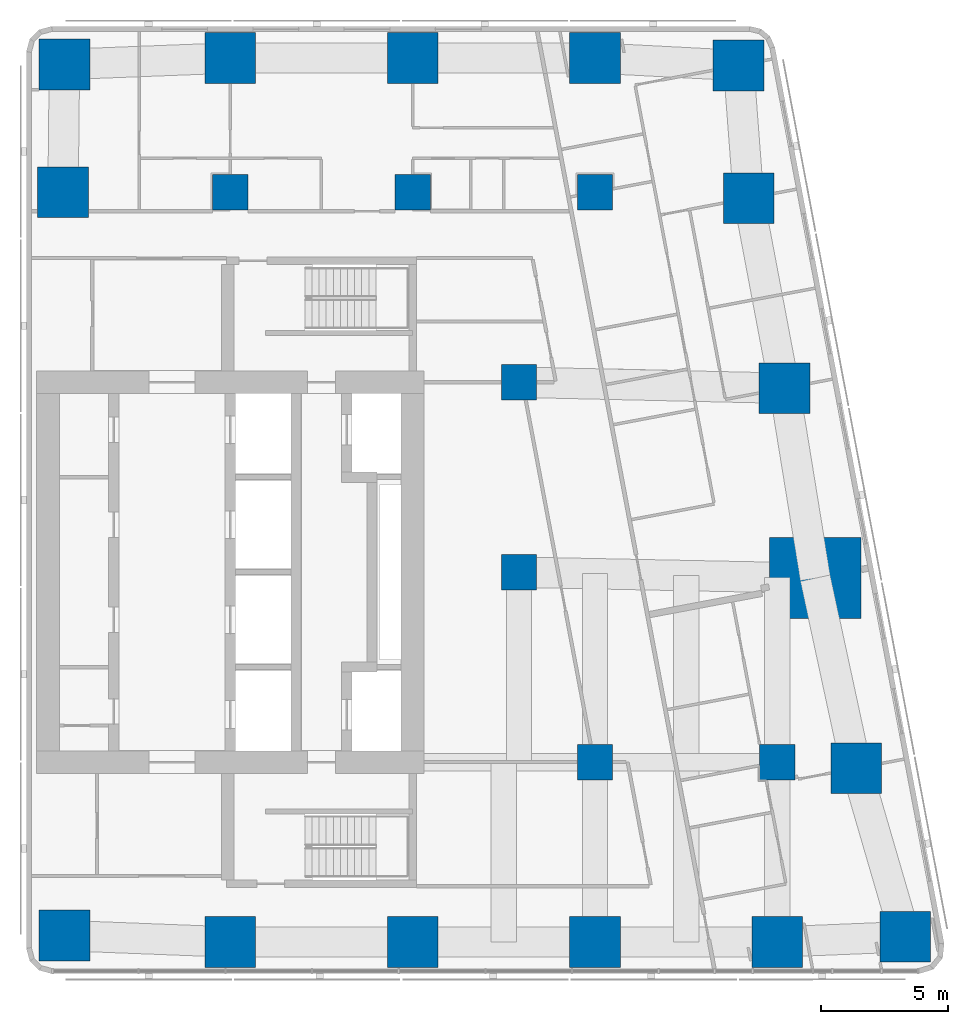
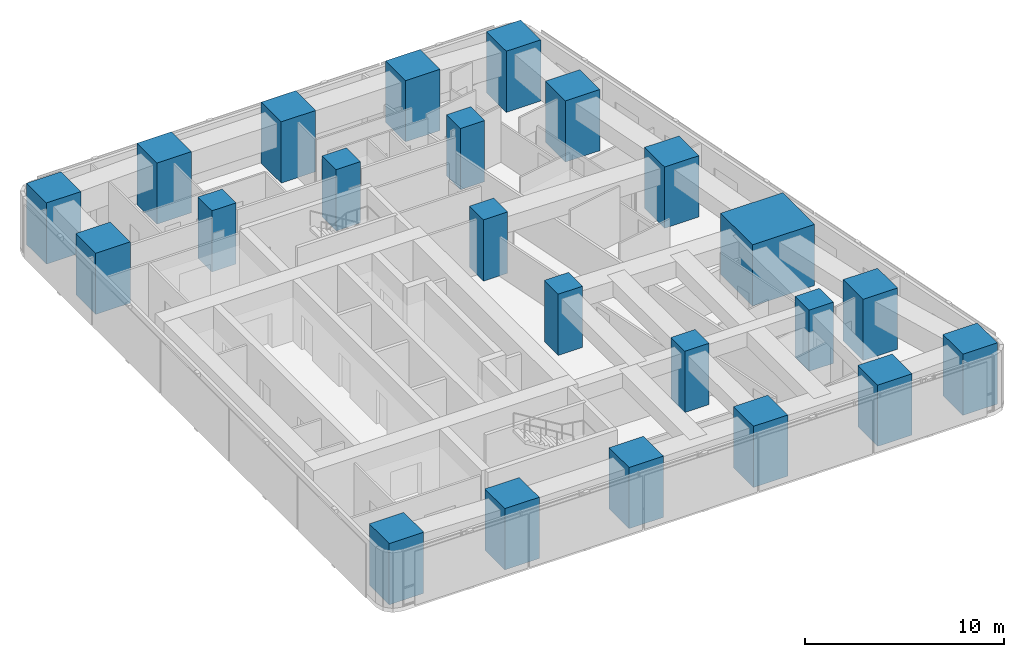
# One storey, part 1 of 10: 23 columns.
"""IFC4 building model written with IfcOpenShell, lengths in metres."""

from ifc_helpers import new_model, si_unit, direction, frame, origin, origin_2d, place, context, subcontext, project, spatial, rectangle, extrude, material, material_profile, profile_set, type_object, element, save


model = new_model("IFC4")

# Units and contexts
model_context = context("Model", 3, precision=1e-05, world=origin(), true_north=direction((0.0, 1.0)))
body_context = subcontext(model_context, "Body", "Model", "MODEL_VIEW")
ifc_project = project(units=[si_unit("LENGTHUNIT", "METRE"), si_unit("AREAUNIT", "SQUARE_METRE"), si_unit("VOLUMEUNIT", "CUBIC_METRE"), si_unit("PLANEANGLEUNIT", "RADIAN"), si_unit("MASSUNIT", "GRAM", prefix="KILO")], contexts=[model_context])

# Site, building, storey
site_placement = place(None, origin())
site = spatial("IfcSite", under=ifc_project, at=site_placement, CompositionType="ELEMENT")
building_placement = place(site_placement, origin())
building = spatial("IfcBuilding", under=site, at=building_placement, Name="Sheger Commons Tower", CompositionType="ELEMENT")
storey_placement = place(building_placement, frame((0.0, 0.0, 292.85009765625)))
storey = spatial("IfcBuildingStorey", under=building, at=storey_placement, Name="L75", CompositionType="ELEMENT", Elevation=292.85009765625)

# Columns
ifc_material_1 = material(Name="Concrete C50/60", Category="concrete")
ifc_material_profile_1 = material_profile(ifc_material_1, rectangle(XDim=3.60009765625, YDim=3.199951171875, at=origin_2d()), Name="RC 3600x3200")
ifc_profile_set_1 = profile_set([ifc_material_profile_1], Name="Concrete C50/60")
column_type_1 = type_object("IfcColumnType", Name="COLUMN PIER RC 3600x3200", PredefinedType="COLUMN", material=ifc_profile_set_1)
column_placement = place(storey_placement, frame((44.697021484375, 22.262939453125, 0.0), z_axis=(0.0, 0.0, 1.0), x_axis=(1.0, 0.0, 0.0)))
element("IfcColumn", 1, at=column_placement, inside=storey, type_object=column_type_1, Name="Pier 7/D+E/D L75", PredefinedType="COLUMN", context=body_context, shape_type="SweptSolid", body=[
    extrude(rectangle(XDim=3.60009765625, YDim=3.199951171875, at=origin_2d()), origin(), (0.0, 0.0, 1.0), 3.75),
])
ifc_material_2 = material(Name="Concrete C50/60", Category="concrete")
ifc_material_profile_2 = material_profile(ifc_material_2, rectangle(XDim=1.39990234375, YDim=1.39990234375, at=origin_2d()), Name="RC 1400x1400")
ifc_profile_set_2 = profile_set([ifc_material_profile_2], Name="Concrete C50/60")
column_type_2 = type_object("IfcColumnType", Name="COLUMN RC 1400x1400", PredefinedType="COLUMN", material=ifc_profile_set_2)
for number, where, z_axis, x_axis, name in (
    (2, (36.0, 15.0, 0.0), (0.0, 0.0, 1.0), (1.0, 0.0, 0.0), "Column 6/C L75"),
    (3, (43.199951171875, 15.0, 0.0), (0.0, 0.0, 1.0), (1.0, 0.0, 0.0), "Column 7/C L75"),
    (4, (33.0, 22.5, 0.0), (0.0, 0.0, 1.0), (1.0, 0.0, 0.0), "Column 6-3000/D L75"),
    (5, (33.0, 30.0, 0.0), (0.0, 0.0, 1.0), (1.0, 0.0, 0.0), "Column 6-3000/E L75"),
    (6, (21.60009765625, 37.5, 0.0), (0.0, 0.0, 1.0), (1.0, 0.0, 0.0), "Column 4/F L75"),
    (7, (28.800048828125, 37.5, 0.0), (0.0, 0.0, 1.0), (1.0, 0.0, 0.0), "Column 5/F L75"),
    (8, (36.0, 37.5, 0.0), (0.0, 0.0, 1.0), (1.0, 0.0, 0.0), "Column 6/F L75"),
):
    element("IfcColumn", number, at=place(storey_placement, frame(where, z_axis=z_axis, x_axis=x_axis)), inside=storey, type_object=column_type_2, Name=name, PredefinedType="COLUMN", context=body_context, shape_type="SweptSolid", body=[
        extrude(rectangle(XDim=1.39990234375, YDim=1.39990234375, at=origin_2d()), origin(), (0.0, 0.0, 1.0), 3.75),
    ])
ifc_material_3 = material(Name="Concrete C50/60", Category="concrete")
ifc_material_profile_3 = material_profile(ifc_material_3, rectangle(XDim=2.0, YDim=2.0, at=origin_2d()), Name="RC 2000x2000")
ifc_profile_set_3 = profile_set([ifc_material_profile_3], Name="Concrete C50/60")
column_type_3 = type_object("IfcColumnType", Name="COLUMN RC 2000x2000", PredefinedType="COLUMN", material=ifc_profile_set_3)
for number, where, z_axis, x_axis, name in (
    (9, (15.053955078125, 8.154052734375, 0.0), (0.0, 0.0, 1.0), (1.0, 0.0, 0.0), "Column 3/B L75"),
    (10, (21.60009765625, 7.89990234375, 0.0), (0.0, 0.0, 1.0), (1.0, 0.0, 0.0), "Column 4/B L75"),
    (11, (28.800048828125, 7.89990234375, 0.0), (0.0, 0.0, 1.0), (1.0, 0.0, 0.0), "Column 5/B L75"),
    (12, (36.0, 7.89990234375, 0.0), (0.0, 0.0, 1.0), (1.0, 0.0, 0.0), "Column 6/B L75"),
    (13, (43.199951171875, 7.89990234375, 0.0), (0.0, 0.0, 1.0), (1.0, 0.0, 0.0), "Column 7/B L75"),
    (14, (48.251953125, 8.10693359375, 0.0), (0.0, 0.0, 1.0), (1.0, 0.0, 0.0), "Column E/B L75"),
    (15, (46.31396484375, 14.762939453125, 0.0), (0.0, 0.0, 1.0), (1.0, 0.0, 0.0), "Column E/C L75"),
    (16, (43.47998046875, 29.762939453125, 0.0), (0.0, 0.0, 1.0), (1.0, 0.0, 0.0), "Column E/E L75"),
    (17, (15.0, 37.5, 0.0), (0.0, 0.0, 1.0), (1.0, 0.0, 0.0), "Column 3/F L75"),
    (18, (42.06396484375, 37.262939453125, 0.0), (0.0, 0.0, 1.0), (1.0, 0.0, 0.0), "Column E/F L75"),
    (19, (15.053955078125, 42.5458984375, 0.0), (0.0, 0.0, 1.0), (1.0, 0.0, 0.0), "Column 3/G-1.8 L75"),
    (20, (21.60009765625, 42.800048828125, 0.0), (0.0, 0.0, 1.0), (1.0, 0.0, 0.0), "Column 4/G-1.8 L75"),
    (21, (28.800048828125, 42.800048828125, 0.0), (0.0, 0.0, 1.0), (1.0, 0.0, 0.0), "Column 5/G-1.8 L75"),
    (22, (36.0, 42.800048828125, 0.0), (0.0, 0.0, 1.0), (1.0, 0.0, 0.0), "Column 6/G-1.8 L75"),
    (23, (41.6669921875, 42.506103515625, 0.0), (0.0, 0.0, 1.0), (1.0, 0.0, 0.0), "Column E/G-1.8 L75"),
):
    element("IfcColumn", number, at=place(storey_placement, frame(where, z_axis=z_axis, x_axis=x_axis)), inside=storey, type_object=column_type_3, Name=name, PredefinedType="COLUMN", context=body_context, shape_type="SweptSolid", body=[
        extrude(rectangle(XDim=2.0, YDim=2.0, at=origin_2d()), origin(), (0.0, 0.0, 1.0), 3.75),
    ])

save(model, "model.ifc")
